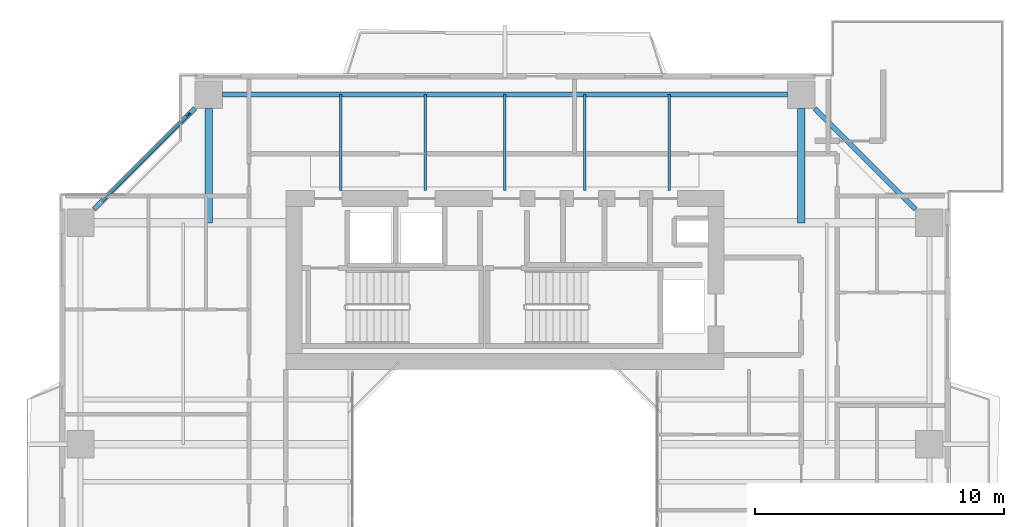
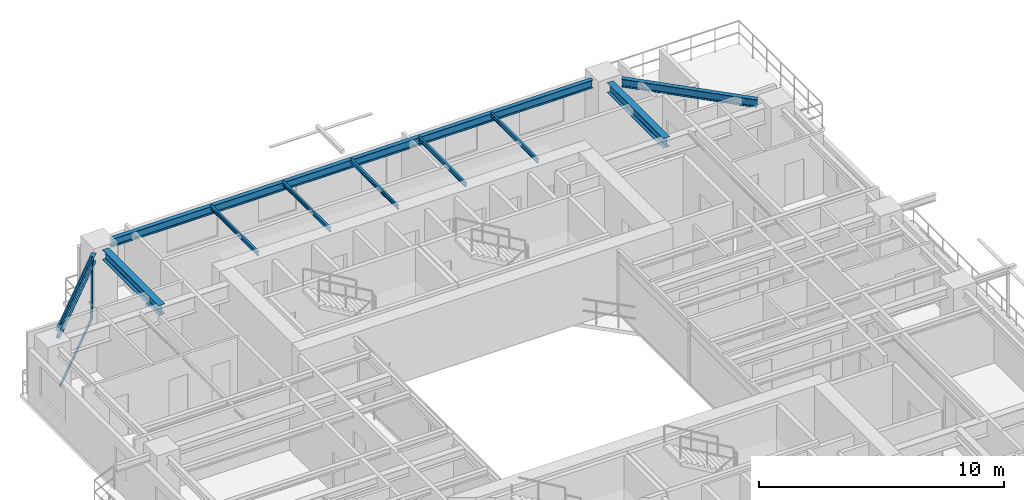
# One storey, part 8 of 17: 10 beams, 3 members, 1 element without a shape of its own.
"""IFC4 building model written with IfcOpenShell, lengths in metres."""

from ifc_helpers import new_model, si_unit, direction, frame, origin, origin_2d, place, context, subcontext, project, spatial, rectangle, i_section, extrude, source, transform, mapped, material, layer, layer_set, material_profile, profile_set, type_object, element, aggregate, save


model = new_model("IFC4")

# Units and contexts
model_context = context("Model", 3, precision=1e-05, world=origin(), true_north=direction((0.0, 1.0)))
body_context = subcontext(model_context, "Body", "Model", "MODEL_VIEW")
ifc_project = project(units=[si_unit("LENGTHUNIT", "METRE"), si_unit("AREAUNIT", "SQUARE_METRE"), si_unit("VOLUMEUNIT", "CUBIC_METRE"), si_unit("PLANEANGLEUNIT", "RADIAN"), si_unit("MASSUNIT", "GRAM", prefix="KILO"), si_unit("THERMODYNAMICTEMPERATUREUNIT", "KELVIN"), si_unit("POWERUNIT", "WATT")], contexts=[model_context])

# Site, building, storey
site_placement = place(None, origin())
site = spatial("IfcSite", under=ifc_project, at=site_placement, CompositionType="ELEMENT")
building_placement = place(site_placement, origin())
building = spatial("IfcBuilding", under=site, at=building_placement, Name="Qiaomeng Ring Towers", CompositionType="ELEMENT")
storey_placement = place(building_placement, frame((0.0, 0.0, 123.0)))
storey = spatial("IfcBuildingStorey", under=building, at=storey_placement, Name="L35", CompositionType="ELEMENT", Elevation=123.0)

# Beams
ifc_material_1 = material(Name="Steel Q355B", Category="steel")
ifc_material_profile_1 = material_profile(ifc_material_1, i_section(OverallWidth=0.199951171875, OverallDepth=0.39990234375, WebThickness=0.008056640625, FlangeThickness=0.012939453125, FilletRadius=0.01611328125, at=origin_2d()), Name="HN 400x200x8x13")
ifc_profile_set_1 = profile_set([ifc_material_profile_1], Name="Steel Q355B")
beam_type_1 = type_object("IfcBeamType", Name="STR-BM-HN400", PredefinedType="SPANDREL", material=ifc_profile_set_1)
shared_shape_1 = source(origin(), body_context, "Body", "SweptSolid", [
    extrude(i_section(OverallWidth=0.199951171875, OverallDepth=0.39990234375, WebThickness=0.008056640625, FlangeThickness=0.012939453125, FilletRadius=0.01611328125, at=origin_2d()), origin(), (0.0, 0.0, 1.0), 22.7021484375),
])
beam_placement = place(storey_placement, frame((30.35107421875, 40.050048828125, 2.8701171875), z_axis=(-1.0, 0.0, 0.0), x_axis=(0.0, -1.0, 0.0)))
element("IfcBeam", 1, at=beam_placement, inside=storey, type_object=beam_type_1, Name="L35 beam STR-SP-L35-T1-N2-N1", PredefinedType="SPANDREL", context=body_context, shape_type="MappedRepresentation", body=[
    mapped(shared_shape_1, transform((0.0, 0.0, 0.0), x_axis=(1.0, 0.0, 0.0), y_axis=(0.0, 1.0, 0.0), z_axis=(0.0, 0.0, 1.0), scale=1.0)),
])
shared_shape_2 = source(origin(), body_context, "Body", "SweptSolid", [
    extrude(i_section(OverallWidth=0.199951171875, OverallDepth=0.39990234375, WebThickness=0.008056640625, FlangeThickness=0.012939453125, FilletRadius=0.01611328125, at=origin_2d()), origin(), (0.0, 0.0, 1.0), 5.729736328125),
])
for number, where, z_axis, x_axis, name in (
    (2, (35.500732421875, 35.44921875, 2.8701171875), (-0.707106781187, 0.707106781187, 0.0), (-0.707106781187, -0.707106781187, 0.0), "L35 beam STR-SP-L35-T1-E4-N2"),
    (3, (6.55078125, 39.500732421875, 2.8701171875), (-0.707106781187, -0.707106781187, 0.0), (0.707106781187, -0.707106781187, 0.0), "L35 beam STR-SP-L35-T1-N1-W4"),
):
    element("IfcBeam", number, at=place(storey_placement, frame(where, z_axis=z_axis, x_axis=x_axis)), inside=storey, type_object=beam_type_1, Name=name, PredefinedType="SPANDREL", context=body_context, shape_type="MappedRepresentation", body=[
        mapped(shared_shape_2, transform((0.0, 0.0, 0.0), x_axis=(1.0, 0.0, 0.0), y_axis=(0.0, 1.0, 0.0), z_axis=(0.0, 0.0, 1.0), scale=1.0)),
    ])
ifc_material_profile_2 = material_profile(ifc_material_1, i_section(OverallWidth=0.300048828125, OverallDepth=0.488037109375, WebThickness=0.010986328125, FlangeThickness=0.01806640625, FilletRadius=0.02587890625, at=origin_2d()), Name="HM 488x300x11x18")
ifc_profile_set_2 = profile_set([ifc_material_profile_2], Name="Steel Q355B")
beam_type_2 = type_object("IfcBeamType", Name="STR-BM-HM488", PredefinedType="BEAM", material=ifc_profile_set_2)
shared_shape_3 = source(origin(), body_context, "Body", "SweptSolid", [
    extrude(i_section(OverallWidth=0.300048828125, OverallDepth=0.488037109375, WebThickness=0.010986328125, FlangeThickness=0.01806640625, FilletRadius=0.02587890625, at=origin_2d()), origin(), (0.0, 0.0, 1.0), 4.60107421875),
])
for number, where, z_axis, x_axis, name in (
    (4, (7.10009765625, 39.5009765625, 2.825927734375), (0.0, -1.0, 0.0), (1.0, 0.0, 0.0), "L35 beam STR-BM-L35-T1-RAD-N1"),
    (5, (30.89990234375, 39.5009765625, 2.825927734375), (0.0, -1.0, 0.0), (1.0, 0.0, 0.0), "L35 beam STR-BM-L35-T1-RAD-N2"),
):
    element("IfcBeam", number, at=place(storey_placement, frame(where, z_axis=z_axis, x_axis=x_axis)), inside=storey, type_object=beam_type_2, Name=name, PredefinedType="BEAM", context=body_context, shape_type="MappedRepresentation", body=[
        mapped(shared_shape_3, transform((0.0, 0.0, 0.0), x_axis=(1.0, 0.0, 0.0), y_axis=(0.0, 1.0, 0.0), z_axis=(0.0, 0.0, 1.0), scale=1.0)),
    ])
ifc_material_profile_3 = material_profile(ifc_material_1, i_section(OverallWidth=0.10009765625, OverallDepth=0.199951171875, WebThickness=0.005615234375, FlangeThickness=0.008056640625, FilletRadius=0.010986328125, at=origin_2d()), Name="HN 200x100x5.5x8")
ifc_profile_set_3 = profile_set([ifc_material_profile_3], Name="Steel Q355B")
beam_type_3 = type_object("IfcBeamType", Name="STR-BM-HN200", PredefinedType="JOIST", material=ifc_profile_set_3)
shared_shape_4 = source(origin(), body_context, "Body", "SweptSolid", [
    extrude(i_section(OverallWidth=0.10009765625, OverallDepth=0.199951171875, WebThickness=0.005615234375, FlangeThickness=0.008056640625, FilletRadius=0.010986328125, at=origin_2d()), origin(), (0.0, 0.0, 1.0), 3.85009765625),
])
for number, where, z_axis, x_axis, name in (
    (6, (12.39990234375, 36.199951171875, 2.969970703125), (0.0, 1.0, 0.0), (-1.0, 0.0, 0.0), "L35 beam STR-JST-L35-T1N-1"),
    (7, (15.800048828125, 36.199951171875, 2.969970703125), (0.0, 1.0, 0.0), (-1.0, 0.0, 0.0), "L35 beam STR-JST-L35-T1N-2"),
    (8, (19.0, 36.199951171875, 2.969970703125), (0.0, 1.0, 0.0), (-1.0, 0.0, 0.0), "L35 beam STR-JST-L35-T1N-3"),
    (9, (22.199951171875, 36.199951171875, 2.969970703125), (0.0, 1.0, 0.0), (-1.0, 0.0, 0.0), "L35 beam STR-JST-L35-T1N-4"),
    (10, (25.60009765625, 36.199951171875, 2.969970703125), (0.0, 1.0, 0.0), (-1.0, 0.0, 0.0), "L35 beam STR-JST-L35-T1N-5"),
):
    element("IfcBeam", number, at=place(storey_placement, frame(where, z_axis=z_axis, x_axis=x_axis)), inside=storey, type_object=beam_type_3, Name=name, PredefinedType="JOIST", context=body_context, shape_type="MappedRepresentation", body=[
        mapped(shared_shape_4, transform((0.0, 0.0, 0.0), x_axis=(1.0, 0.0, 0.0), y_axis=(0.0, 1.0, 0.0), z_axis=(0.0, 0.0, 1.0), scale=1.0)),
    ])

# Curtain wall, members
ifc_material_2 = material(Name="Fluorocarbon dark-grey aluminium", Category="aluminium")
ifc_layer = layer(ifc_material_2, 0.14990234375, Name="Fluorocarbon dark-grey aluminium")
ifc_layer_set = layer_set([ifc_layer], Name="Fluorocarbon dark-grey aluminium")
curtain_wall_type = type_object("IfcCurtainWallType", Name="ARC-CW-3", PredefinedType="NOTDEFINED", material=ifc_layer_set)
curtain_wall_placement = place(storey_placement, origin())
curtain_wall = element("IfcCurtainWall", 11, at=curtain_wall_placement, inside=storey, type_object=curtain_wall_type, Name="L35 Curtain Wall CW3", PredefinedType="NOTDEFINED")
ifc_material_profile_4 = material_profile(ifc_material_2, rectangle(XDim=0.070068359375, YDim=0.179931640625, at=origin_2d()), Name="ALU MULL 70x180")
ifc_profile_set_4 = profile_set([ifc_material_profile_4], Name="Fluorocarbon dark-grey aluminium")
member_type_1 = type_object("IfcMemberType", Name="ARC-CWM-160", PredefinedType="MULLION", material=ifc_profile_set_4)
shared_shape_5 = source(origin(), body_context, "Body", "SweptSolid", [
    extrude(rectangle(XDim=0.070068359375, YDim=0.179931640625, at=origin_2d()), origin(), (0.0, 0.0, 1.0), 3.070068359375),
])
member_1_placement = place(storey_placement, frame((6.28515625, 39.2353515625, 0.0), z_axis=(0.0, 0.0, 1.0), x_axis=(0.707106781187, -0.707106781187, 0.0)))
member_1 = element("IfcMember", 12, at=member_1_placement, type_object=member_type_1, Name="CW3 mullion 1", PredefinedType="MULLION", context=body_context, shape_type="MappedRepresentation", body=[
    mapped(shared_shape_5, transform((0.0, 0.0, 0.0), x_axis=(1.0, 0.0, 0.0), y_axis=(0.0, 1.0, 0.0), z_axis=(0.0, 0.0, 1.0), scale=1.0)),
])
ifc_material_profile_5 = material_profile(ifc_material_2, rectangle(XDim=0.06494140625, YDim=0.1298828125, at=origin_2d()), Name="ALU TRAN 65x130")
ifc_profile_set_5 = profile_set([ifc_material_profile_5], Name="Fluorocarbon dark-grey aluminium")
member_type_2 = type_object("IfcMemberType", Name="ARC-CWT-120", PredefinedType="USERDEFINED", material=ifc_profile_set_5)
shared_shape_6 = source(origin(), body_context, "Body", "SweptSolid", [
    extrude(rectangle(XDim=0.06494140625, YDim=0.1298828125, at=origin_2d()), origin(), (0.0, 0.0, 1.0), 4.90869140625),
])
member_2_placement = place(storey_placement, frame((6.260498046875, 39.21044921875, 0.032470703125), z_axis=(-0.707106781187, -0.707106781187, 0.0), x_axis=(0.707106781187, -0.707106781187, 0.0)))
member_2 = element("IfcMember", 13, at=member_2_placement, type_object=member_type_2, Name="CW3 transom 1.1", ObjectType="TRANSOM", PredefinedType="USERDEFINED", context=body_context, shape_type="MappedRepresentation", body=[
    mapped(shared_shape_6, transform((0.0, 0.0, 0.0), x_axis=(1.0, 0.0, 0.0), y_axis=(0.0, 1.0, 0.0), z_axis=(0.0, 0.0, 1.0), scale=1.0)),
])
member_3_placement = place(storey_placement, frame((6.260498046875, 39.21044921875, 3.03759765625), z_axis=(-0.707106781187, -0.707106781187, 0.0), x_axis=(0.707106781187, -0.707106781187, 0.0)))
member_3 = element("IfcMember", 14, at=member_3_placement, type_object=member_type_2, Name="CW3 transom 1.2", ObjectType="TRANSOM", PredefinedType="USERDEFINED", context=body_context, shape_type="MappedRepresentation", body=[
    mapped(shared_shape_6, transform((0.0, 0.0, 0.0), x_axis=(1.0, 0.0, 0.0), y_axis=(0.0, 1.0, 0.0), z_axis=(0.0, 0.0, 1.0), scale=1.0)),
])
aggregate(curtain_wall, [member_1, member_2, member_3])

save(model, "model.ifc")
